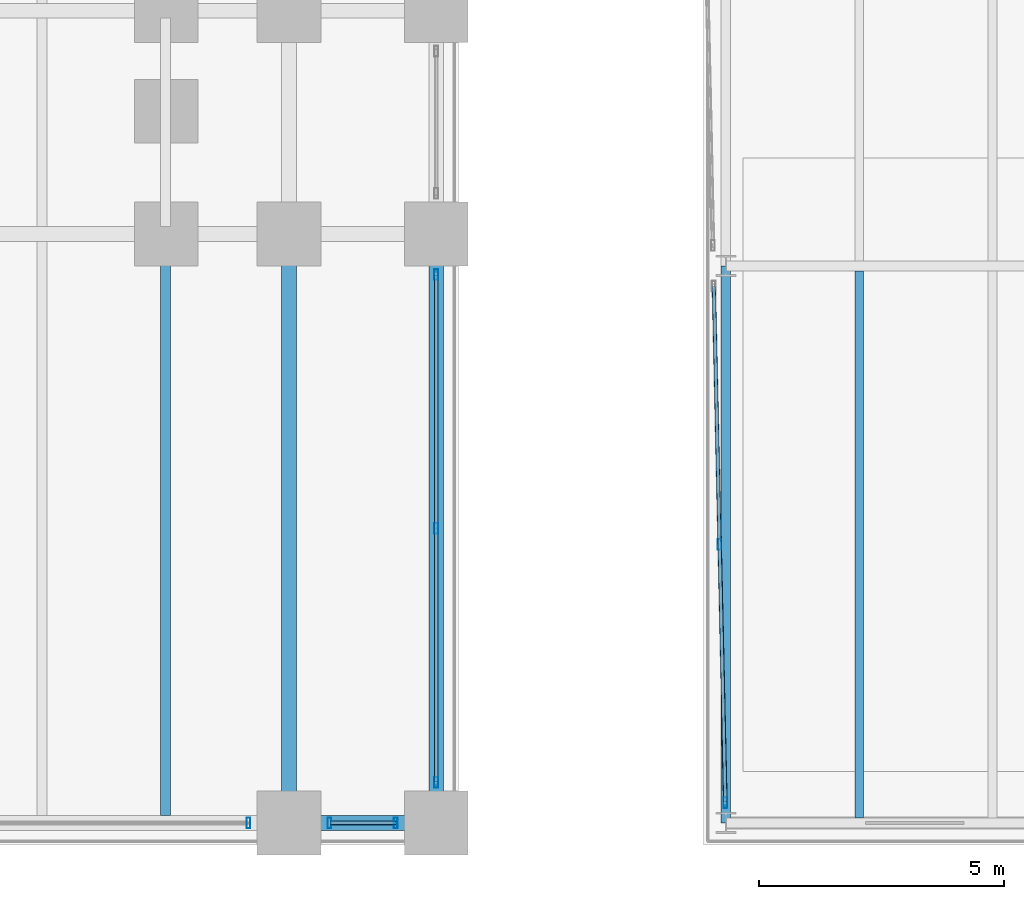
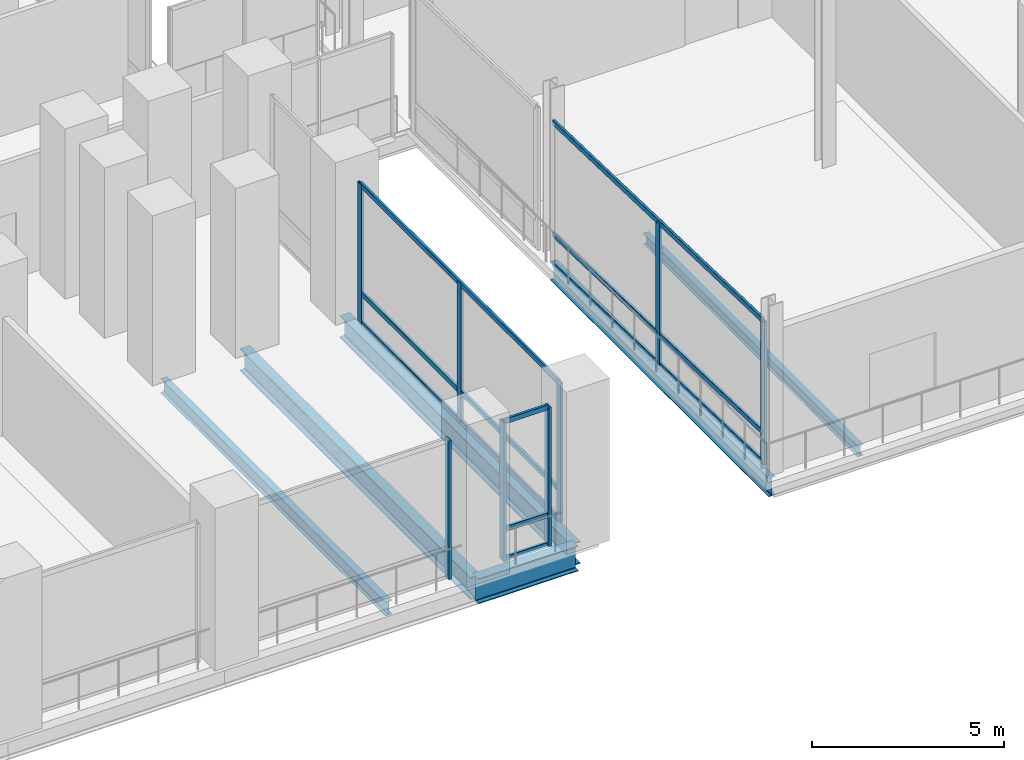
# One storey, part 11 of 30: 17 members, 6 beams, 4 elements without a shape of their own.
"""IFC4 building model written with IfcOpenShell, lengths in metres."""

from ifc_helpers import new_model, si_unit, direction, frame, origin, origin_2d, place, context, subcontext, project, spatial, hollow_rectangle, i_section, extrude, material, material_profile, profile_set, type_object, element, aggregate, save


model = new_model("IFC4")

# Units and contexts
model_context = context("Model", 3, precision=1e-05, world=origin(), true_north=direction((0.0, 1.0)))
body_context = subcontext(model_context, "Body", "Model", "MODEL_VIEW")
ifc_project = project(units=[si_unit("LENGTHUNIT", "METRE"), si_unit("AREAUNIT", "SQUARE_METRE"), si_unit("VOLUMEUNIT", "CUBIC_METRE"), si_unit("PLANEANGLEUNIT", "RADIAN"), si_unit("MASSUNIT", "GRAM", prefix="KILO")], contexts=[model_context])

# Site, building, storey
site_placement = place(None, origin())
site = spatial("IfcSite", under=ifc_project, at=site_placement, CompositionType="ELEMENT")
building_placement = place(site_placement, origin())
building = spatial("IfcBuilding", under=site, at=building_placement, Name="Noeulbin Bourse Tower", CompositionType="ELEMENT")
storey_placement = place(building_placement, frame((0.0, 0.0, 16.60009765625)))
storey = spatial("IfcBuildingStorey", under=building, at=storey_placement, Name="L04", CompositionType="ELEMENT", Elevation=16.60009765625)

# Beams
ifc_material_1 = material(Name="Steel S355", Category="steel")
ifc_material_profile_1 = material_profile(ifc_material_1, i_section(OverallWidth=0.199951171875, OverallDepth=0.60009765625, WebThickness=0.010986328125, FlangeThickness=0.01708984375, FilletRadius=0.02197265625, at=origin_2d()), Name="H-600x200x11x17", Category="LoadBearing")
ifc_profile_set_1 = profile_set([ifc_material_profile_1], Name="Steel S355")
beam_type_1 = type_object("IfcBeamType", Name="BM-GRD-600", PredefinedType="USERDEFINED", material=ifc_profile_set_1)
beam_1_placement = place(storey_placement, frame((60.449951171875, 3.449951171875, -0.52001953125), z_axis=(0.0, 1.0, 0.0), x_axis=(-1.0, 0.0, 0.0)))
element("IfcBeam", 1, at=beam_1_placement, inside=storey, type_object=beam_type_1, Name="Market Hall Girder NS L04-11", ObjectType="GIRDER", PredefinedType="USERDEFINED", context=body_context, shape_type="SweptSolid", body=[
    extrude(i_section(OverallWidth=0.199951171875, OverallDepth=0.60009765625, WebThickness=0.010986328125, FlangeThickness=0.01708984375, FilletRadius=0.02197265625, at=origin_2d()), origin(), (0.0, 0.0, 1.0), 11.35009765625),
])
ifc_material_profile_2 = material_profile(ifc_material_1, i_section(OverallWidth=0.300048828125, OverallDepth=0.699951171875, WebThickness=0.012939453125, FlangeThickness=0.02392578125, FilletRadius=0.02392578125, at=origin_2d()), Name="H-700x300x13x24", Category="LoadBearing")
ifc_profile_set_2 = profile_set([ifc_material_profile_2], Name="Steel S355")
beam_type_2 = type_object("IfcBeamType", Name="BM-GRD-700", PredefinedType="USERDEFINED", material=ifc_profile_set_2)
for number, where, z_axis, x_axis, name in (
    (2, (51.550048828125, 3.449951171875, -0.60009765625), (0.0, 1.0, 0.0), (-1.0, 0.0, 0.0), "Podium Primary Girder NS L04-096"),
    (3, (54.550048828125, 3.449951171875, -0.60009765625), (0.0, 1.0, 0.0), (-1.0, 0.0, 0.0), "Podium Primary Girder NS L04-102"),
):
    element("IfcBeam", number, at=place(storey_placement, frame(where, z_axis=z_axis, x_axis=x_axis)), inside=storey, type_object=beam_type_2, Name=name, ObjectType="GIRDER", PredefinedType="USERDEFINED", context=body_context, shape_type="SweptSolid", body=[
        extrude(i_section(OverallWidth=0.300048828125, OverallDepth=0.699951171875, WebThickness=0.012939453125, FlangeThickness=0.02392578125, FilletRadius=0.02392578125, at=origin_2d()), origin(), (0.0, 0.0, 1.0), 12.0),
    ])
ifc_material_profile_3 = material_profile(ifc_material_1, i_section(OverallWidth=0.300048828125, OverallDepth=0.800048828125, WebThickness=0.013916015625, FlangeThickness=0.02587890625, FilletRadius=0.02587890625, at=origin_2d()), Name="H-800x300x14x26", Category="LoadBearing")
ifc_profile_set_3 = profile_set([ifc_material_profile_3], Name="Steel S355")
beam_type_3 = type_object("IfcBeamType", Name="BM-GRD-800", PredefinedType="USERDEFINED", material=ifc_profile_set_3)
beam_2_placement = place(storey_placement, frame((51.550048828125, 3.449951171875, -0.650146484375), z_axis=(1.0, 0.0, 0.0), x_axis=(0.0, 1.0, 0.0)))
element("IfcBeam", 4, at=beam_2_placement, inside=storey, type_object=beam_type_3, Name="Podium Primary Girder EW L04-008", ObjectType="GIRDER", PredefinedType="USERDEFINED", context=body_context, shape_type="SweptSolid", body=[
    extrude(i_section(OverallWidth=0.300048828125, OverallDepth=0.800048828125, WebThickness=0.013916015625, FlangeThickness=0.02587890625, FilletRadius=0.02587890625, at=origin_2d()), origin(), (0.0, 0.0, 1.0), 3.0),
])
ifc_material_profile_4 = material_profile(ifc_material_1, i_section(OverallWidth=0.175048828125, OverallDepth=0.35009765625, WebThickness=0.007080078125, FlangeThickness=0.010986328125, FilletRadius=0.013916015625, at=origin_2d()), Name="H-350x175x7x11", Category="LoadBearing")
ifc_profile_set_4 = profile_set([ifc_material_profile_4], Name="Steel S355")
beam_type_4 = type_object("IfcBeamType", Name="BM-JST-350", PredefinedType="JOIST", material=ifc_profile_set_4)
beam_3_placement = place(storey_placement, frame((63.166748046875, 3.550048828125, -0.39501953125), z_axis=(0.0, 1.0, 0.0), x_axis=(-1.0, 0.0, 0.0)))
element("IfcBeam", 5, at=beam_3_placement, inside=storey, type_object=beam_type_4, Name="Market Hall Secondary Joist L04-01", PredefinedType="JOIST", context=body_context, shape_type="SweptSolid", body=[
    extrude(i_section(OverallWidth=0.175048828125, OverallDepth=0.35009765625, WebThickness=0.007080078125, FlangeThickness=0.010986328125, FilletRadius=0.013916015625, at=origin_2d()), origin(), (0.0, 0.0, 1.0), 11.14990234375),
])
ifc_material_profile_5 = material_profile(ifc_material_1, i_section(OverallWidth=0.199951171875, OverallDepth=0.449951171875, WebThickness=0.009033203125, FlangeThickness=0.013916015625, FilletRadius=0.01806640625, at=origin_2d()), Name="H-450x200x9x14", Category="LoadBearing")
ifc_profile_set_5 = profile_set([ifc_material_profile_5], Name="Steel S355")
beam_type_5 = type_object("IfcBeamType", Name="BM-SEC-450", PredefinedType="BEAM", material=ifc_profile_set_5)
beam_4_placement = place(storey_placement, frame((49.033203125, 3.60009765625, -0.47509765625), z_axis=(0.0, 1.0, 0.0), x_axis=(-1.0, 0.0, 0.0)))
element("IfcBeam", 6, at=beam_4_placement, inside=storey, type_object=beam_type_5, Name="Podium Secondary Beam L04-079", PredefinedType="BEAM", context=body_context, shape_type="SweptSolid", body=[
    extrude(i_section(OverallWidth=0.199951171875, OverallDepth=0.449951171875, WebThickness=0.009033203125, FlangeThickness=0.013916015625, FilletRadius=0.01806640625, at=origin_2d()), origin(), (0.0, 0.0, 1.0), 11.699951171875),
])

# Curtain wall, member
ifc_material_2 = material(Name="Laminated Clear Low-E Glass", Category="glass")
curtain_wall_type = type_object("IfcCurtainWallType", Name="CW-SYS-1", PredefinedType="NOTDEFINED", material=ifc_material_2)
curtain_wall_1_placement = place(storey_placement, origin())
curtain_wall_1 = element("IfcCurtainWall", 7, at=curtain_wall_1_placement, inside=storey, type_object=curtain_wall_type, Name="Unitised Curtain Wall CW-L04-POD-S-S6", PredefinedType="NOTDEFINED")
ifc_material_3 = material(Name="Anodised Aluminium 6063-T6", Category="aluminium")
ifc_material_profile_6 = material_profile(ifc_material_3, hollow_rectangle(XDim=0.074951171875, YDim=0.219970703125, WallThickness=0.0048828125, InnerFilletRadius=0.00244140625, OuterFilletRadius=0.0048828125, at=origin_2d()), Name="ALU-MULL-75x220x5", Category="LoadBearing")
ifc_profile_set_6 = profile_set([ifc_material_profile_6], Name="Anodised Aluminium 6063-T6")
member_type_1 = type_object("IfcMemberType", Name="CW-SYS-1-MUL", PredefinedType="MULLION", material=ifc_profile_set_6)
member_1_placement = place(storey_placement, frame((50.72509765625, 3.449951171875, -0.02001953125), z_axis=(0.0, 0.0, 1.0), x_axis=(1.0, 0.0, 0.0)))
member_1 = element("IfcMember", 8, at=member_1_placement, type_object=member_type_1, Name="Curtain Wall Mullion CW-L04-POD-S-S6-M01", PredefinedType="MULLION", context=body_context, shape_type="SweptSolid", body=[
    extrude(hollow_rectangle(XDim=0.074951171875, YDim=0.219970703125, WallThickness=0.0048828125, InnerFilletRadius=0.00244140625, OuterFilletRadius=0.0048828125, at=origin_2d()), origin(), (0.0, 0.0, 1.0), 4.419921875),
])
aggregate(curtain_wall_1, [member_1])

# Curtain wall, members
curtain_wall_2_placement = place(storey_placement, origin())
curtain_wall_2 = element("IfcCurtainWall", 9, at=curtain_wall_2_placement, inside=storey, type_object=curtain_wall_type, Name="Unitised Curtain Wall CW-L04-POD-S-S7", PredefinedType="NOTDEFINED")
member_2_placement = place(storey_placement, frame((52.375, 3.449951171875, -0.02001953125), z_axis=(0.0, 0.0, 1.0), x_axis=(1.0, 0.0, 0.0)))
member_2 = element("IfcMember", 10, at=member_2_placement, type_object=member_type_1, Name="Curtain Wall Mullion CW-L04-POD-S-S7-M00", PredefinedType="MULLION", context=body_context, shape_type="SweptSolid", body=[
    extrude(hollow_rectangle(XDim=0.074951171875, YDim=0.219970703125, WallThickness=0.0048828125, InnerFilletRadius=0.00244140625, OuterFilletRadius=0.0048828125, at=origin_2d()), origin(), (0.0, 0.0, 1.0), 4.419921875),
])
member_3_placement = place(storey_placement, frame((53.72509765625, 3.449951171875, -0.02001953125), z_axis=(0.0, 0.0, 1.0), x_axis=(1.0, 0.0, 0.0)))
member_3 = element("IfcMember", 11, at=member_3_placement, type_object=member_type_1, Name="Curtain Wall Mullion CW-L04-POD-S-S7-M01", PredefinedType="MULLION", context=body_context, shape_type="SweptSolid", body=[
    extrude(hollow_rectangle(XDim=0.074951171875, YDim=0.219970703125, WallThickness=0.0048828125, InnerFilletRadius=0.00244140625, OuterFilletRadius=0.0048828125, at=origin_2d()), origin(), (0.0, 0.0, 1.0), 4.419921875),
])

curtain_wall_3_placement = place(storey_placement, origin())
curtain_wall_3 = element("IfcCurtainWall", 12, at=curtain_wall_3_placement, inside=storey, type_object=curtain_wall_type, Name="Unitised Curtain Wall CW-L04-POD-E1-S1", PredefinedType="NOTDEFINED")
member_4_placement = place(storey_placement, frame((54.550048828125, 4.27490234375, -0.02001953125), z_axis=(0.0, 0.0, 1.0), x_axis=(1.0, 0.0, 0.0)))
member_4 = element("IfcMember", 13, at=member_4_placement, type_object=member_type_1, Name="Curtain Wall Mullion CW-L04-POD-E1-S1-M00", PredefinedType="MULLION", context=body_context, shape_type="SweptSolid", body=[
    extrude(hollow_rectangle(XDim=0.074951171875, YDim=0.219970703125, WallThickness=0.0048828125, InnerFilletRadius=0.00244140625, OuterFilletRadius=0.0048828125, at=origin_2d()), origin(), (0.0, 0.0, 1.0), 4.419921875),
])
member_5_placement = place(storey_placement, frame((54.550048828125, 9.449951171875, -0.02001953125), z_axis=(0.0, 0.0, 1.0), x_axis=(1.0, 0.0, 0.0)))
member_5 = element("IfcMember", 14, at=member_5_placement, type_object=member_type_1, Name="Curtain Wall Mullion CW-L04-POD-E1-S1-M01", PredefinedType="MULLION", context=body_context, shape_type="SweptSolid", body=[
    extrude(hollow_rectangle(XDim=0.074951171875, YDim=0.219970703125, WallThickness=0.0048828125, InnerFilletRadius=0.00244140625, OuterFilletRadius=0.0048828125, at=origin_2d()), origin(), (0.0, 0.0, 1.0), 4.419921875),
])
member_6_placement = place(storey_placement, frame((54.550048828125, 14.625, -0.02001953125), z_axis=(0.0, 0.0, 1.0), x_axis=(1.0, 0.0, 0.0)))
member_6 = element("IfcMember", 15, at=member_6_placement, type_object=member_type_1, Name="Curtain Wall Mullion CW-L04-POD-E1-S1-M02", PredefinedType="MULLION", context=body_context, shape_type="SweptSolid", body=[
    extrude(hollow_rectangle(XDim=0.074951171875, YDim=0.219970703125, WallThickness=0.0048828125, InnerFilletRadius=0.00244140625, OuterFilletRadius=0.0048828125, at=origin_2d()), origin(), (0.0, 0.0, 1.0), 4.419921875),
])

curtain_wall_4_placement = place(storey_placement, origin())
curtain_wall_4 = element("IfcCurtainWall", 16, at=curtain_wall_4_placement, inside=storey, type_object=curtain_wall_type, Name="Unitised Curtain Wall CW-L04-MKT-W1-S1", PredefinedType="NOTDEFINED")
member_7_placement = place(storey_placement, frame((60.44091796875, 3.864013671875, -0.02001953125), z_axis=(0.0, 0.0, 1.0), x_axis=(1.0, 0.0, 0.0)))
member_7 = element("IfcMember", 17, at=member_7_placement, type_object=member_type_1, Name="Curtain Wall Mullion CW-L04-MKT-W1-S1-M00", PredefinedType="MULLION", context=body_context, shape_type="SweptSolid", body=[
    extrude(hollow_rectangle(XDim=0.074951171875, YDim=0.219970703125, WallThickness=0.0048828125, InnerFilletRadius=0.00244140625, OuterFilletRadius=0.0048828125, at=origin_2d()), origin(), (0.0, 0.0, 1.0), 4.5498046875),
])
member_8_placement = place(storey_placement, frame((60.323486328125, 9.125, -0.02001953125), z_axis=(0.0, 0.0, 1.0), x_axis=(1.0, 0.0, 0.0)))
member_8 = element("IfcMember", 18, at=member_8_placement, type_object=member_type_1, Name="Curtain Wall Mullion CW-L04-MKT-W1-S1-M01", PredefinedType="MULLION", context=body_context, shape_type="SweptSolid", body=[
    extrude(hollow_rectangle(XDim=0.074951171875, YDim=0.219970703125, WallThickness=0.0048828125, InnerFilletRadius=0.00244140625, OuterFilletRadius=0.0048828125, at=origin_2d()), origin(), (0.0, 0.0, 1.0), 4.5498046875),
])

# Member
ifc_material_profile_7 = material_profile(ifc_material_3, hollow_rectangle(XDim=0.074951171875, YDim=0.159912109375, WallThickness=0.0048828125, InnerFilletRadius=0.00244140625, OuterFilletRadius=0.0048828125, at=origin_2d()), Name="ALU-TRAN-75x160x5", Category="LoadBearing")
ifc_profile_set_7 = profile_set([ifc_material_profile_7], Name="Anodised Aluminium 6063-T6")
member_type_2 = type_object("IfcMemberType", Name="CW-SYS-1-TRN", PredefinedType="USERDEFINED", material=ifc_profile_set_7)
member_9_placement = place(storey_placement, frame((52.385009765625, 3.449951171875, 0.010009765625), z_axis=(1.0, 0.0, 0.0), x_axis=(0.0, 1.0, 0.0)))
member_9 = element("IfcMember", 19, at=member_9_placement, type_object=member_type_2, Name="Curtain Wall Transom CW-L04-POD-S-S7-T00", ObjectType="TRANSOM", PredefinedType="USERDEFINED", context=body_context, shape_type="SweptSolid", body=[
    extrude(hollow_rectangle(XDim=0.074951171875, YDim=0.159912109375, WallThickness=0.0048828125, InnerFilletRadius=0.00244140625, OuterFilletRadius=0.0048828125, at=origin_2d()), origin(), (0.0, 0.0, 1.0), 1.330078125),
])

member_10_placement = place(storey_placement, frame((52.385009765625, 3.449951171875, 0.949951171875), z_axis=(1.0, 0.0, 0.0), x_axis=(0.0, 1.0, 0.0)))
member_10 = element("IfcMember", 20, at=member_10_placement, type_object=member_type_2, Name="Curtain Wall Transom CW-L04-POD-S-S7-T01", ObjectType="TRANSOM", PredefinedType="USERDEFINED", context=body_context, shape_type="SweptSolid", body=[
    extrude(hollow_rectangle(XDim=0.074951171875, YDim=0.159912109375, WallThickness=0.0048828125, InnerFilletRadius=0.00244140625, OuterFilletRadius=0.0048828125, at=origin_2d()), origin(), (0.0, 0.0, 1.0), 1.330078125),
])

member_11_placement = place(storey_placement, frame((52.385009765625, 3.449951171875, 4.369873046875), z_axis=(1.0, 0.0, 0.0), x_axis=(0.0, 1.0, 0.0)))
member_11 = element("IfcMember", 21, at=member_11_placement, type_object=member_type_2, Name="Curtain Wall Transom CW-L04-POD-S-S7-T02", ObjectType="TRANSOM", PredefinedType="USERDEFINED", context=body_context, shape_type="SweptSolid", body=[
    extrude(hollow_rectangle(XDim=0.074951171875, YDim=0.159912109375, WallThickness=0.0048828125, InnerFilletRadius=0.00244140625, OuterFilletRadius=0.0048828125, at=origin_2d()), origin(), (0.0, 0.0, 1.0), 1.330078125),
])

aggregate(curtain_wall_2, [member_2, member_3, member_9, member_10, member_11])

member_12_placement = place(storey_placement, frame((54.550048828125, 4.284912109375, 0.010009765625), z_axis=(0.0, 1.0, 0.0), x_axis=(-1.0, 0.0, 0.0)))
member_12 = element("IfcMember", 22, at=member_12_placement, type_object=member_type_2, Name="Curtain Wall Transom CW-L04-POD-E1-S1-T00", ObjectType="TRANSOM", PredefinedType="USERDEFINED", context=body_context, shape_type="SweptSolid", body=[
    extrude(hollow_rectangle(XDim=0.074951171875, YDim=0.159912109375, WallThickness=0.0048828125, InnerFilletRadius=0.00244140625, OuterFilletRadius=0.0048828125, at=origin_2d()), origin(), (0.0, 0.0, 1.0), 10.330078125),
])

member_13_placement = place(storey_placement, frame((54.550048828125, 4.284912109375, 0.949951171875), z_axis=(0.0, 1.0, 0.0), x_axis=(-1.0, 0.0, 0.0)))
member_13 = element("IfcMember", 23, at=member_13_placement, type_object=member_type_2, Name="Curtain Wall Transom CW-L04-POD-E1-S1-T01", ObjectType="TRANSOM", PredefinedType="USERDEFINED", context=body_context, shape_type="SweptSolid", body=[
    extrude(hollow_rectangle(XDim=0.074951171875, YDim=0.159912109375, WallThickness=0.0048828125, InnerFilletRadius=0.00244140625, OuterFilletRadius=0.0048828125, at=origin_2d()), origin(), (0.0, 0.0, 1.0), 10.330078125),
])

member_14_placement = place(storey_placement, frame((54.550048828125, 4.284912109375, 4.369873046875), z_axis=(0.0, 1.0, 0.0), x_axis=(-1.0, 0.0, 0.0)))
member_14 = element("IfcMember", 24, at=member_14_placement, type_object=member_type_2, Name="Curtain Wall Transom CW-L04-POD-E1-S1-T02", ObjectType="TRANSOM", PredefinedType="USERDEFINED", context=body_context, shape_type="SweptSolid", body=[
    extrude(hollow_rectangle(XDim=0.074951171875, YDim=0.159912109375, WallThickness=0.0048828125, InnerFilletRadius=0.00244140625, OuterFilletRadius=0.0048828125, at=origin_2d()), origin(), (0.0, 0.0, 1.0), 10.330078125),
])

aggregate(curtain_wall_3, [member_4, member_5, member_6, member_12, member_13, member_14])

member_15_placement = place(storey_placement, frame((60.440673828125, 3.8740234375, 0.010009765625), z_axis=(-0.022288491861, 0.999751580709, 0.0), x_axis=(-0.999751580709, -0.022288491861, 0.0)))
member_15 = element("IfcMember", 25, at=member_15_placement, type_object=member_type_2, Name="Curtain Wall Transom CW-L04-MKT-W1-S1-T00", ObjectType="TRANSOM", PredefinedType="USERDEFINED", context=body_context, shape_type="SweptSolid", body=[
    extrude(hollow_rectangle(XDim=0.074951171875, YDim=0.159912109375, WallThickness=0.0048828125, InnerFilletRadius=0.00244140625, OuterFilletRadius=0.0048828125, at=origin_2d()), origin(), (0.0, 0.0, 1.0), 10.504638671875),
])

member_16_placement = place(storey_placement, frame((60.440673828125, 3.8740234375, 0.949951171875), z_axis=(-0.022288491861, 0.999751580709, 0.0), x_axis=(-0.999751580709, -0.022288491861, 0.0)))
member_16 = element("IfcMember", 26, at=member_16_placement, type_object=member_type_2, Name="Curtain Wall Transom CW-L04-MKT-W1-S1-T01", ObjectType="TRANSOM", PredefinedType="USERDEFINED", context=body_context, shape_type="SweptSolid", body=[
    extrude(hollow_rectangle(XDim=0.074951171875, YDim=0.159912109375, WallThickness=0.0048828125, InnerFilletRadius=0.00244140625, OuterFilletRadius=0.0048828125, at=origin_2d()), origin(), (0.0, 0.0, 1.0), 10.504638671875),
])

member_17_placement = place(storey_placement, frame((60.440673828125, 3.8740234375, 4.5), z_axis=(-0.022288491861, 0.999751580709, 0.0), x_axis=(-0.999751580709, -0.022288491861, 0.0)))
member_17 = element("IfcMember", 27, at=member_17_placement, type_object=member_type_2, Name="Curtain Wall Transom CW-L04-MKT-W1-S1-T02", ObjectType="TRANSOM", PredefinedType="USERDEFINED", context=body_context, shape_type="SweptSolid", body=[
    extrude(hollow_rectangle(XDim=0.074951171875, YDim=0.159912109375, WallThickness=0.0048828125, InnerFilletRadius=0.00244140625, OuterFilletRadius=0.0048828125, at=origin_2d()), origin(), (0.0, 0.0, 1.0), 10.504638671875),
])

aggregate(curtain_wall_4, [member_7, member_8, member_15, member_16, member_17])

save(model, "model.ifc")
